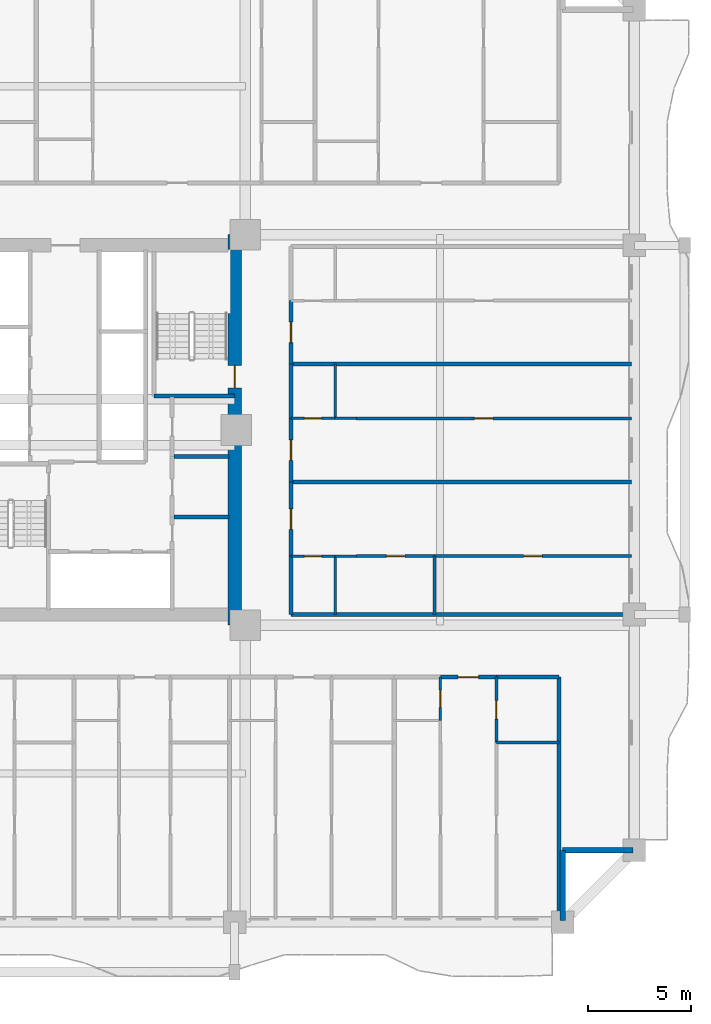
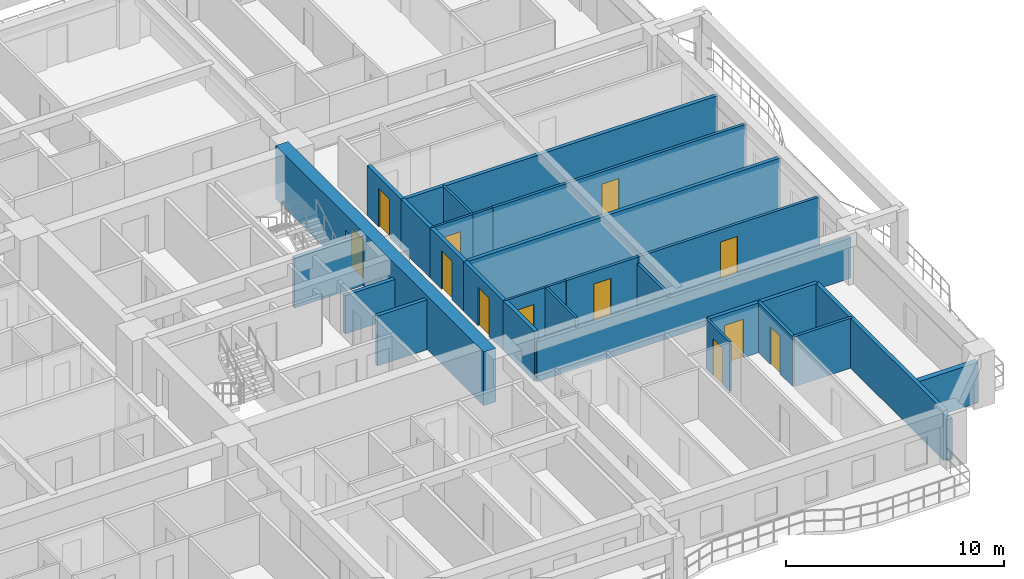
# One storey, part 6 of 16: 30 walls, 12 doors, 12 openings.
"""IFC4 building model written with IfcOpenShell, lengths in metres."""

from ifc_helpers import new_model, si_unit, direction, frame, frame_2d, origin, place, context, subcontext, project, spatial, rectangle, extrude, source, transform, mapped, material, layer, layer_set, type_object, element, fill, save


model = new_model("IFC4")

# Units and contexts
model_context = context("Model", 3, precision=1e-05, world=origin(), true_north=direction((0.0, 1.0)))
body_context = subcontext(model_context, "Body", "Model", "MODEL_VIEW")
ifc_project = project(units=[si_unit("LENGTHUNIT", "METRE"), si_unit("AREAUNIT", "SQUARE_METRE"), si_unit("VOLUMEUNIT", "CUBIC_METRE"), si_unit("PLANEANGLEUNIT", "RADIAN"), si_unit("MASSUNIT", "GRAM", prefix="KILO")], contexts=[model_context])

# Site, building, storey
site_placement = place(None, origin())
site = spatial("IfcSite", under=ifc_project, at=site_placement, CompositionType="ELEMENT")
building_placement = place(site_placement, origin())
building = spatial("IfcBuilding", under=site, at=building_placement, Name="Saelheon Loggia Tower", CompositionType="ELEMENT")
storey_placement = place(building_placement, frame((0.0, 0.0, 55.39990234375)))
storey = spatial("IfcBuildingStorey", under=building, at=storey_placement, Name="L17", CompositionType="ELEMENT", Elevation=55.39990234375)

# Wall, opening, door
ifc_material_1 = material(Name="Concrete C60/75", Category="concrete")
ifc_layer_1 = layer(ifc_material_1, 0.64990234375)
ifc_layer_set_1 = layer_set([ifc_layer_1], Name="Concrete C60/75")
wall_type_1 = type_object("IfcWallType", Name="Wall_CoreShear_650", PredefinedType="SHEAR", material=ifc_layer_set_1)
wall_1_placement = place(storey_placement, frame((44.5, 17.47998046875, 0.0), z_axis=(0.0, 0.0, 1.0), x_axis=(0.0, 1.0, 0.0)))
wall_1 = element("IfcWall", 1, at=wall_1_placement, inside=storey, type_object=wall_type_1, Name="L17 Core Shear Wall East", PredefinedType="SHEAR", context=body_context, shape_type="SweptSolid", body=[
    extrude(rectangle(XDim=19.0400390625, YDim=0.64990234375, at=frame_2d((9.52001953125, 0.0))), origin(), (0.0, 0.0, 1.0), 3.0),
])
opening_1_placement = place(wall_1_placement, frame((12.670166015625, 0.0, 0.0), z_axis=(0.0, 0.0, 1.0), x_axis=(-1.0, 0.0, 0.0)))
opening_1 = element("IfcOpeningElement", 2, at=opening_1_placement, cuts=wall_1, Name="Opening D-FD2", PredefinedType="OPENING", context=body_context, shape_type="SweptSolid", body=[
    extrude(rectangle(XDim=1.10009765625, YDim=2.14990234375, at=frame_2d((0.550048828125, 1.074951171875))), frame((0.0, 0.3369140625, 0.0), z_axis=(0.0, -1.0, 0.0), x_axis=(1.0, 0.0, 0.0)), (0.0, 0.0, 1.0), 0.673828125),
])
ifc_material_2 = material(Name="Galvanised Steel Fire Door", Category="steel")
door_type_1 = type_object("IfcDoorType", Name="Door_Fire_FD60_1100", OperationType="NOTDEFINED", PredefinedType="DOOR", material=ifc_material_2)
shared_shape_1 = source(origin(), body_context, "Body", "SweptSolid", [
    extrude(rectangle(XDim=1.10009765625, YDim=2.14990234375, at=frame_2d((0.550048828125, 1.074951171875))), frame((0.0, 0.02490234375, 0.0), z_axis=(0.0, -1.0, 0.0), x_axis=(1.0, 0.0, 0.0)), (0.0, 0.0, 1.0), 0.050048828125),
])
door_1_placement = place(opening_1_placement, origin())
door_1 = element("IfcDoor", 3, at=door_1_placement, inside=storey, type_object=door_type_1, Name="L17 Stair ST2 Corridor Door", OperationType="SINGLE_SWING_RIGHT", OverallHeight=2.14990234375, OverallWidth=1.10009765625, PredefinedType="DOOR", context=body_context, shape_type="MappedRepresentation", body=[
    mapped(shared_shape_1, transform((0.0, 0.0, 0.0), scale=1.0)),
])
fill(opening_1, door_1)

# Walls
ifc_material_3 = material(Name="Architectural Precast Concrete C40/50", Category="concrete")
ifc_layer_2 = layer(ifc_material_3, 0.280029296875)
ifc_layer_set_2 = layer_set([ifc_layer_2], Name="Architectural Precast Concrete C40/50")
wall_type_2 = type_object("IfcWallType", Name="Wall_Ext_Loggia_280", PredefinedType="SOLIDWALL", material=ifc_layer_set_2)
for number, where, z_axis, x_axis, name in (
    (4, (60.5, 3.080078125, 0.0), (0.0, 0.0, 1.0), (0.0, 1.0, 0.0), "L17 Corner Notch Precast Wall SE1"),
    (5, (60.5, 6.5, 0.0), (0.0, 0.0, 1.0), (1.0, 0.0, 0.0), "L17 Corner Notch Precast Wall SE2"),
):
    element("IfcWall", number, at=place(storey_placement, frame(where, z_axis=z_axis, x_axis=x_axis)), inside=storey, type_object=wall_type_2, Name=name, PredefinedType="SOLIDWALL", context=body_context, shape_type="SweptSolid", body=[
        extrude(rectangle(XDim=3.419921875, YDim=0.280029296875, at=frame_2d((1.7099609375, 0.0))), origin(), (0.0, 0.0, 1.0), 2.280029296875),
    ])
ifc_material_4 = material(Name="Lightweight Autoclaved Aerated Concrete Block and Acoustic Gypsum", Category="concrete")
ifc_layer_3 = layer(ifc_material_4, 0.14990234375)
ifc_layer_set_3 = layer_set([ifc_layer_3], Name="Lightweight Autoclaved Aerated Concrete Block and Acoustic Gypsum")
wall_type_3 = type_object("IfcWallType", Name="Wall_Part_150", PredefinedType="PARTITIONING", material=ifc_layer_set_3)
wall_2_placement = place(storey_placement, frame((57.2666015625, 11.75, 0.0), z_axis=(0.0, 0.0, 1.0), x_axis=(1.0, 0.0, 0.0)))
element("IfcWall", 6, at=wall_2_placement, inside=storey, type_object=wall_type_3, Name="L17 S Partition V55", PredefinedType="PARTITIONING", context=body_context, shape_type="SweptSolid", body=[
    extrude(rectangle(XDim=3.053466796875, YDim=0.14990234375, at=frame_2d((1.52685546875, 0.0))), origin(), (0.0, 0.0, 1.0), 2.7900390625),
])

# Wall, opening, door
wall_3_placement = place(storey_placement, frame((57.2666015625, 14.949951171875, 0.0), z_axis=(0.0, 0.0, 1.0), x_axis=(0.0, -1.0, 0.0)))
wall_3 = element("IfcWall", 7, at=wall_3_placement, inside=storey, type_object=wall_type_3, Name="L17 S Partition U59", PredefinedType="PARTITIONING", context=body_context, shape_type="SweptSolid", body=[
    extrude(rectangle(XDim=3.199951171875, YDim=0.14990234375, at=frame_2d((1.60009765625, 0.0))), origin(), (0.0, 0.0, 1.0), 2.7900390625),
])
opening_2_placement = place(wall_3_placement, frame((1.14990234375, 0.0, 0.0)))
opening_2 = element("IfcOpeningElement", 8, at=opening_2_placement, cuts=wall_3, Name="Opening D-IN2", PredefinedType="OPENING", context=body_context, shape_type="SweptSolid", body=[
    extrude(rectangle(XDim=0.89990234375, YDim=2.10009765625, at=frame_2d((0.449951171875, 1.050048828125))), frame((0.0, 0.0869140625, 0.0), z_axis=(0.0, -1.0, 0.0), x_axis=(1.0, 0.0, 0.0)), (0.0, 0.0, 1.0), 0.173828125),
])
ifc_material_5 = material(Name="Engineered Oak Flush Door", Category="timber")
door_type_2 = type_object("IfcDoorType", Name="Door_Int_900", OperationType="NOTDEFINED", PredefinedType="DOOR", material=ifc_material_5)
shared_shape_2 = source(origin(), body_context, "Body", "SweptSolid", [
    extrude(rectangle(XDim=0.89990234375, YDim=2.10009765625, at=frame_2d((0.449951171875, 1.050048828125))), frame((0.0, 0.02490234375, 0.0), z_axis=(0.0, -1.0, 0.0), x_axis=(1.0, 0.0, 0.0)), (0.0, 0.0, 1.0), 0.050048828125),
])
door_2_placement = place(opening_2_placement, origin())
door_2 = element("IfcDoor", 9, at=door_2_placement, inside=storey, type_object=door_type_2, Name="Unit U05 Dressing Closet Door", OperationType="SINGLE_SWING_RIGHT", OverallHeight=2.10009765625, OverallWidth=0.89990234375, PredefinedType="DOOR", context=body_context, shape_type="MappedRepresentation", body=[
    mapped(shared_shape_2, transform((0.0, 0.0, 0.0), scale=1.0)),
])
fill(opening_2, door_2)

# Wall
wall_4_placement = place(storey_placement, frame((54.25, 18.0, 0.0), z_axis=(0.0, 0.0, 1.0), x_axis=(0.0, 1.0, 0.0)))
element("IfcWall", 10, at=wall_4_placement, inside=storey, type_object=wall_type_3, Name="L17 E Partition V08", PredefinedType="PARTITIONING", context=body_context, shape_type="SweptSolid", body=[
    extrude(rectangle(XDim=2.85009765625, YDim=0.14990234375, at=frame_2d((1.425048828125, 0.0))), origin(), (0.0, 0.0, 1.0), 2.440185546875),
])

# Wall, opening, door
wall_5_placement = place(storey_placement, frame((50.449951171875, 20.85009765625, 0.0), z_axis=(0.0, 0.0, 1.0), x_axis=(1.0, 0.0, 0.0)))
wall_5 = element("IfcWall", 11, at=wall_5_placement, inside=storey, type_object=wall_type_3, Name="L17 E Partition U09", PredefinedType="PARTITIONING", context=body_context, shape_type="SweptSolid", body=[
    extrude(rectangle(XDim=3.800048828125, YDim=0.14990234375, at=frame_2d((1.89990234375, 0.0))), origin(), (0.0, 0.0, 1.0), 2.7900390625),
])
opening_3_placement = place(wall_5_placement, frame((1.449951171875, 0.0, 0.0)))
opening_3 = element("IfcOpeningElement", 12, at=opening_3_placement, cuts=wall_5, Name="Opening D-IN2", PredefinedType="OPENING", context=body_context, shape_type="SweptSolid", body=[
    extrude(rectangle(XDim=0.89990234375, YDim=2.10009765625, at=frame_2d((0.449951171875, 1.050048828125))), frame((0.0, 0.0869140625, 0.0), z_axis=(0.0, -1.0, 0.0), x_axis=(1.0, 0.0, 0.0)), (0.0, 0.0, 1.0), 0.173828125),
])
door_3_placement = place(opening_3_placement, origin())
door_3 = element("IfcDoor", 13, at=door_3_placement, inside=storey, type_object=door_type_2, Name="Unit U13 Kitchen Door", OperationType="SINGLE_SWING_LEFT", OverallHeight=2.10009765625, OverallWidth=0.89990234375, PredefinedType="DOOR", context=body_context, shape_type="MappedRepresentation", body=[
    mapped(shared_shape_2, transform((0.0, 0.0, 0.0), scale=1.0)),
])
fill(opening_3, door_3)

wall_6_placement = place(storey_placement, frame((54.25, 20.85009765625, 0.0), z_axis=(0.0, 0.0, 1.0), x_axis=(1.0, 0.0, 0.0)))
wall_6 = element("IfcWall", 14, at=wall_6_placement, inside=storey, type_object=wall_type_3, Name="L17 E Partition U10", PredefinedType="PARTITIONING", context=body_context, shape_type="SweptSolid", body=[
    extrude(rectangle(XDim=9.60009765625, YDim=0.14990234375, at=frame_2d((4.800048828125, 0.0))), origin(), (0.0, 0.0, 1.0), 2.7900390625),
])
opening_4_placement = place(wall_6_placement, frame((4.35009765625, 0.0, 0.0)))
opening_4 = element("IfcOpeningElement", 15, at=opening_4_placement, cuts=wall_6, Name="Opening D-IN2", PredefinedType="OPENING", context=body_context, shape_type="SweptSolid", body=[
    extrude(rectangle(XDim=0.89990234375, YDim=2.10009765625, at=frame_2d((0.449951171875, 1.050048828125))), frame((0.0, 0.0869140625, 0.0), z_axis=(0.0, -1.0, 0.0), x_axis=(1.0, 0.0, 0.0)), (0.0, 0.0, 1.0), 0.173828125),
])
door_4_placement = place(opening_4_placement, origin())
door_4 = element("IfcDoor", 16, at=door_4_placement, inside=storey, type_object=door_type_2, Name="Unit U13 Bedroom 1 Door", OperationType="SINGLE_SWING_RIGHT", OverallHeight=2.10009765625, OverallWidth=0.89990234375, PredefinedType="DOOR", context=body_context, shape_type="MappedRepresentation", body=[
    mapped(shared_shape_2, transform((0.0, 0.0, 0.0), scale=1.0)),
])
fill(opening_4, door_4)

wall_7_placement = place(storey_placement, frame((50.449951171875, 27.563720703125, 0.0), z_axis=(0.0, 0.0, 1.0), x_axis=(1.0, 0.0, 0.0)))
wall_7 = element("IfcWall", 17, at=wall_7_placement, inside=storey, type_object=wall_type_3, Name="L17 E Partition U17", PredefinedType="PARTITIONING", context=body_context, shape_type="SweptSolid", body=[
    extrude(rectangle(XDim=13.400146484375, YDim=0.14990234375, at=frame_2d((6.7001953125, 0.0))), origin(), (0.0, 0.0, 1.0), 2.7900390625),
])
opening_5_placement = place(wall_7_placement, frame((5.749267578125, 0.0, 0.0)))
opening_5 = element("IfcOpeningElement", 18, at=opening_5_placement, cuts=wall_7, Name="Opening D-IN2", PredefinedType="OPENING", context=body_context, shape_type="SweptSolid", body=[
    extrude(rectangle(XDim=0.89990234375, YDim=2.10009765625, at=frame_2d((0.449951171875, 1.050048828125))), frame((0.0, 0.0869140625, 0.0), z_axis=(0.0, -1.0, 0.0), x_axis=(1.0, 0.0, 0.0)), (0.0, 0.0, 1.0), 0.173828125),
])
door_5_placement = place(opening_5_placement, origin())
door_5 = element("IfcDoor", 19, at=door_5_placement, inside=storey, type_object=door_type_2, Name="Unit U14 Kitchen Door", OperationType="SINGLE_SWING_LEFT", OverallHeight=2.10009765625, OverallWidth=0.89990234375, PredefinedType="DOOR", context=body_context, shape_type="MappedRepresentation", body=[
    mapped(shared_shape_2, transform((0.0, 0.0, 0.0), scale=1.0)),
])
fill(opening_5, door_5)

# Wall
ifc_material_6 = material(Name="Double Acoustic Stud and Fireboard Partition", Category="gypsum")
ifc_layer_4 = layer(ifc_material_6, 0.199951171875)
ifc_layer_set_4 = layer_set([ifc_layer_4], Name="Double Acoustic Stud and Fireboard Partition")
wall_type_4 = type_object("IfcWallType", Name="Wall_Party_200", PredefinedType="PARTITIONING", material=ifc_layer_set_4)
wall_8_placement = place(storey_placement, frame((60.320068359375, 14.949951171875, 0.0), z_axis=(0.0, 0.0, 1.0), x_axis=(0.0, -1.0, 0.0)))
element("IfcWall", 20, at=wall_8_placement, inside=storey, type_object=wall_type_4, Name="L17 S Partition U02", PredefinedType="PARTITIONING", context=body_context, shape_type="SweptSolid", body=[
    extrude(rectangle(XDim=11.800048828125, YDim=0.199951171875, at=frame_2d((5.89990234375, 0.0))), origin(), (0.0, 0.0, 1.0), 2.7900390625),
])

# Wall, opening, door
wall_9_placement = place(storey_placement, frame((54.53466796875, 14.949951171875, 0.0), z_axis=(0.0, 0.0, 1.0), x_axis=(1.0, 0.0, 0.0)))
wall_9 = element("IfcWall", 21, at=wall_9_placement, inside=storey, type_object=wall_type_4, Name="L17 S Partition V52", PredefinedType="PARTITIONING", context=body_context, shape_type="SweptSolid", body=[
    extrude(rectangle(XDim=2.73193359375, YDim=0.199951171875, at=frame_2d((1.365966796875, 0.0))), origin(), (0.0, 0.0, 1.0), 2.7900390625),
])
opening_6_placement = place(wall_9_placement, frame((0.865966796875, 0.0, 0.0)))
opening_6 = element("IfcOpeningElement", 22, at=opening_6_placement, cuts=wall_9, Name="Opening D-FD1", PredefinedType="OPENING", context=body_context, shape_type="SweptSolid", body=[
    extrude(rectangle(XDim=1.0, YDim=2.14990234375, at=frame_2d((0.5, 1.074951171875))), frame((0.0, 0.112060546875, 0.0), z_axis=(0.0, -1.0, 0.0), x_axis=(1.0, 0.0, 0.0)), (0.0, 0.0, 1.0), 0.223876953125),
])
ifc_material_7 = material(Name="Fire-Rated Engineered Timber Entrance Door", Category="wood")
door_type_3 = type_object("IfcDoorType", Name="Door_Flat_FD30S", OperationType="NOTDEFINED", PredefinedType="DOOR", material=ifc_material_7)
shared_shape_3 = source(origin(), body_context, "Body", "SweptSolid", [
    extrude(rectangle(XDim=1.0, YDim=2.14990234375, at=frame_2d((0.5, 1.074951171875))), frame((0.0, 0.02490234375, 0.0), z_axis=(0.0, -1.0, 0.0), x_axis=(1.0, 0.0, 0.0)), (0.0, 0.0, 1.0), 0.050048828125),
])
door_6_placement = place(opening_6_placement, origin())
door_6 = element("IfcDoor", 23, at=door_6_placement, inside=storey, type_object=door_type_3, Name="Unit U05 Entrance Door", OperationType="SINGLE_SWING_LEFT", OverallHeight=2.14990234375, OverallWidth=1.0, PredefinedType="DOOR", context=body_context, shape_type="MappedRepresentation", body=[
    mapped(shared_shape_3, transform((0.0, 0.0, 0.0), scale=1.0)),
])
fill(opening_6, door_6)

# Walls
wall_10_placement = place(storey_placement, frame((57.2666015625, 14.949951171875, 0.0), z_axis=(0.0, 0.0, 1.0), x_axis=(1.0, 0.0, 0.0)))
element("IfcWall", 24, at=wall_10_placement, inside=storey, type_object=wall_type_4, Name="L17 S Partition V53", PredefinedType="PARTITIONING", context=body_context, shape_type="SweptSolid", body=[
    extrude(rectangle(XDim=3.053466796875, YDim=0.199951171875, at=frame_2d((1.52685546875, 0.0))), origin(), (0.0, 0.0, 1.0), 2.7900390625),
])
wall_11_placement = place(storey_placement, frame((47.25, 18.0, 0.0), z_axis=(0.0, 0.0, 1.0), x_axis=(1.0, 0.0, 0.0)))
element("IfcWall", 25, at=wall_11_placement, inside=storey, type_object=wall_type_4, Name="L17 E Partition U01", PredefinedType="PARTITIONING", context=body_context, shape_type="SweptSolid", body=[
    extrude(rectangle(XDim=16.60009765625, YDim=0.199951171875, at=frame_2d((8.300048828125, 0.0))), origin(), (0.0, 0.0, 1.0), 2.239990234375),
])
wall_12_placement = place(storey_placement, frame((47.25, 18.0, 0.0), z_axis=(0.0, 0.0, 1.0), x_axis=(0.0, 1.0, 0.0)))
element("IfcWall", 26, at=wall_12_placement, inside=storey, type_object=wall_type_4, Name="L17 E Partition V03", PredefinedType="PARTITIONING", context=body_context, shape_type="SweptSolid", body=[
    extrude(rectangle(XDim=2.85009765625, YDim=0.199951171875, at=frame_2d((1.425048828125, 0.0))), origin(), (0.0, 0.0, 1.0), 2.7900390625),
])

# Wall, opening, door
wall_13_placement = place(storey_placement, frame((47.25, 20.85009765625, 0.0), z_axis=(0.0, 0.0, 1.0), x_axis=(0.0, 1.0, 0.0)))
wall_13 = element("IfcWall", 27, at=wall_13_placement, inside=storey, type_object=wall_type_4, Name="L17 E Partition V04", PredefinedType="PARTITIONING", context=body_context, shape_type="SweptSolid", body=[
    extrude(rectangle(XDim=3.61181640625, YDim=0.199951171875, at=frame_2d((1.805908203125, 0.0))), origin(), (0.0, 0.0, 1.0), 2.7900390625),
])
opening_7_placement = place(wall_13_placement, frame((1.305908203125, 0.0, 0.0)))
opening_7 = element("IfcOpeningElement", 28, at=opening_7_placement, cuts=wall_13, Name="Opening D-FD1", PredefinedType="OPENING", context=body_context, shape_type="SweptSolid", body=[
    extrude(rectangle(XDim=1.0, YDim=2.14990234375, at=frame_2d((0.5, 1.074951171875))), frame((0.0, 0.112060546875, 0.0), z_axis=(0.0, -1.0, 0.0), x_axis=(1.0, 0.0, 0.0)), (0.0, 0.0, 1.0), 0.223876953125),
])
door_7_placement = place(opening_7_placement, origin())
door_7 = element("IfcDoor", 29, at=door_7_placement, inside=storey, type_object=door_type_3, Name="Unit U13 Entrance Door", OperationType="SINGLE_SWING_LEFT", OverallHeight=2.14990234375, OverallWidth=1.0, PredefinedType="DOOR", context=body_context, shape_type="MappedRepresentation", body=[
    mapped(shared_shape_3, transform((0.0, 0.0, 0.0), scale=1.0)),
])
fill(opening_7, door_7)

# Wall
wall_14_placement = place(storey_placement, frame((47.25, 24.4619140625, 0.0), z_axis=(0.0, 0.0, 1.0), x_axis=(1.0, 0.0, 0.0)))
element("IfcWall", 30, at=wall_14_placement, inside=storey, type_object=wall_type_4, Name="L17 E Partition U11", PredefinedType="PARTITIONING", context=body_context, shape_type="SweptSolid", body=[
    extrude(rectangle(XDim=16.60009765625, YDim=0.199951171875, at=frame_2d((8.300048828125, 0.0))), origin(), (0.0, 0.0, 1.0), 2.7900390625),
])

# Wall, opening, door
wall_15_placement = place(storey_placement, frame((47.25, 24.4619140625, 0.0), z_axis=(0.0, 0.0, 1.0), x_axis=(0.0, 1.0, 0.0)))
wall_15 = element("IfcWall", 31, at=wall_15_placement, inside=storey, type_object=wall_type_4, Name="L17 E Partition V12", PredefinedType="PARTITIONING", context=body_context, shape_type="SweptSolid", body=[
    extrude(rectangle(XDim=3.101806640625, YDim=0.199951171875, at=frame_2d((1.55078125, 0.0))), origin(), (0.0, 0.0, 1.0), 2.7900390625),
])
opening_8_placement = place(wall_15_placement, frame((1.05078125, 0.0, 0.0)))
opening_8 = element("IfcOpeningElement", 32, at=opening_8_placement, cuts=wall_15, Name="Opening D-FD1", PredefinedType="OPENING", context=body_context, shape_type="SweptSolid", body=[
    extrude(rectangle(XDim=1.0, YDim=2.14990234375, at=frame_2d((0.5, 1.074951171875))), frame((0.0, 0.112060546875, 0.0), z_axis=(0.0, -1.0, 0.0), x_axis=(1.0, 0.0, 0.0)), (0.0, 0.0, 1.0), 0.223876953125),
])
door_8_placement = place(opening_8_placement, origin())
door_8 = element("IfcDoor", 33, at=door_8_placement, inside=storey, type_object=door_type_3, Name="Unit U14 Entrance Door", OperationType="SINGLE_SWING_LEFT", OverallHeight=2.14990234375, OverallWidth=1.0, PredefinedType="DOOR", context=body_context, shape_type="MappedRepresentation", body=[
    mapped(shared_shape_3, transform((0.0, 0.0, 0.0), scale=1.0)),
])
fill(opening_8, door_8)

# Walls
wall_16_placement = place(storey_placement, frame((47.25, 27.563720703125, 0.0), z_axis=(0.0, 0.0, 1.0), x_axis=(0.0, 1.0, 0.0)))
element("IfcWall", 34, at=wall_16_placement, inside=storey, type_object=wall_type_4, Name="L17 E Partition V13", PredefinedType="PARTITIONING", context=body_context, shape_type="SweptSolid", body=[
    extrude(rectangle(XDim=2.642333984375, YDim=0.199951171875, at=frame_2d((1.3212890625, 0.0))), origin(), (0.0, 0.0, 1.0), 2.7900390625),
])
wall_17_placement = place(storey_placement, frame((47.25, 30.2060546875, 0.0), z_axis=(0.0, 0.0, 1.0), x_axis=(1.0, 0.0, 0.0)))
element("IfcWall", 35, at=wall_17_placement, inside=storey, type_object=wall_type_4, Name="L17 E Partition U18", PredefinedType="PARTITIONING", context=body_context, shape_type="SweptSolid", body=[
    extrude(rectangle(XDim=16.60009765625, YDim=0.199951171875, at=frame_2d((8.300048828125, 0.0))), origin(), (0.0, 0.0, 1.0), 2.7900390625),
])

# Wall, opening, door
wall_18_placement = place(storey_placement, frame((47.25, 30.2060546875, 0.0), z_axis=(0.0, 0.0, 1.0), x_axis=(0.0, 1.0, 0.0)))
wall_18 = element("IfcWall", 36, at=wall_18_placement, inside=storey, type_object=wall_type_4, Name="L17 E Partition V19", PredefinedType="PARTITIONING", context=body_context, shape_type="SweptSolid", body=[
    extrude(rectangle(XDim=3.101806640625, YDim=0.199951171875, at=frame_2d((1.55078125, 0.0))), origin(), (0.0, 0.0, 1.0), 2.7900390625),
])
opening_9_placement = place(wall_18_placement, frame((1.05078125, 0.0, 0.0)))
opening_9 = element("IfcOpeningElement", 37, at=opening_9_placement, cuts=wall_18, Name="Opening D-FD1", PredefinedType="OPENING", context=body_context, shape_type="SweptSolid", body=[
    extrude(rectangle(XDim=1.0, YDim=2.14990234375, at=frame_2d((0.5, 1.074951171875))), frame((0.0, 0.112060546875, 0.0), z_axis=(0.0, -1.0, 0.0), x_axis=(1.0, 0.0, 0.0)), (0.0, 0.0, 1.0), 0.223876953125),
])
door_9_placement = place(opening_9_placement, origin())
door_9 = element("IfcDoor", 38, at=door_9_placement, inside=storey, type_object=door_type_3, Name="Unit U15 Entrance Door", OperationType="SINGLE_SWING_RIGHT", OverallHeight=2.14990234375, OverallWidth=1.0, PredefinedType="DOOR", context=body_context, shape_type="MappedRepresentation", body=[
    mapped(shared_shape_3, transform((0.0, 0.0, 0.0), scale=1.0)),
])
fill(opening_9, door_9)

# Walls
ifc_material_8 = material(Name="Concrete C40/50", Category="concrete")
ifc_layer_5 = layer(ifc_material_8, 0.199951171875)
ifc_layer_set_5 = layer_set([ifc_layer_5], Name="Concrete C40/50")
wall_type_5 = type_object("IfcWallType", Name="Wall_Shaft_200", PredefinedType="PARTITIONING", material=ifc_layer_set_5)
wall_19_placement = place(storey_placement, frame((41.550048828125, 22.75, 0.0), z_axis=(0.0, 0.0, 1.0), x_axis=(1.0, 0.0, 0.0)))
element("IfcWall", 39, at=wall_19_placement, inside=storey, type_object=wall_type_5, Name="CW-BOH-L17-H1", PredefinedType="PARTITIONING", context=body_context, shape_type="SweptSolid", body=[
    extrude(rectangle(XDim=2.669921875, YDim=0.199951171875, at=frame_2d((1.3349609375, 0.0))), origin(), (0.0, 0.0, 1.0), 2.7900390625),
])
wall_20_placement = place(storey_placement, frame((41.550048828125, 25.699951171875, 0.0), z_axis=(0.0, 0.0, 1.0), x_axis=(1.0, 0.0, 0.0)))
element("IfcWall", 40, at=wall_20_placement, inside=storey, type_object=wall_type_5, Name="CW-BOH-L17-H2", PredefinedType="PARTITIONING", context=body_context, shape_type="SweptSolid", body=[
    extrude(rectangle(XDim=2.669921875, YDim=0.199951171875, at=frame_2d((1.3349609375, 0.0))), origin(), (0.0, 0.0, 1.0), 2.14013671875),
])
ifc_material_9 = material(Name="Concrete C45/55", Category="concrete")
ifc_layer_6 = layer(ifc_material_9, 0.199951171875)
ifc_layer_set_6 = layer_set([ifc_layer_6], Name="Concrete C45/55")
wall_type_6 = type_object("IfcWallType", Name="Wall_StairShaft_RC200", PredefinedType="SOLIDWALL", material=ifc_layer_set_6)
wall_21_placement = place(storey_placement, frame((40.570068359375, 28.64990234375, 0.0), z_axis=(0.0, 0.0, 1.0), x_axis=(1.0, 0.0, 0.0)))
element("IfcWall", 41, at=wall_21_placement, inside=storey, type_object=wall_type_6, Name="L17 Stair ST2 South Wall", PredefinedType="SOLIDWALL", context=body_context, shape_type="SweptSolid", body=[
    extrude(rectangle(XDim=3.929931640625, YDim=0.199951171875, at=frame_2d((1.96484375, 0.0))), origin(), (0.0, 0.0, 1.0), 2.7900390625),
])

# Wall, opening, door
ifc_material_10 = material(Name="Moisture-Resistant Cement Board Partition", Category="gypsum")
ifc_layer_7 = layer(ifc_material_10, 0.1201171875)
ifc_layer_set_7 = layer_set([ifc_layer_7], Name="Moisture-Resistant Cement Board Partition")
wall_type_7 = type_object("IfcWallType", Name="Wall_WetPart_120", PredefinedType="PARTITIONING", material=ifc_layer_set_7)
wall_22_placement = place(storey_placement, frame((54.53466796875, 14.949951171875, 0.0), z_axis=(0.0, 0.0, 1.0), x_axis=(0.0, -1.0, 0.0)))
wall_22 = element("IfcWall", 42, at=wall_22_placement, inside=storey, type_object=wall_type_7, Name="L17 S Partition U56", PredefinedType="PARTITIONING", context=body_context, shape_type="SweptSolid", body=[
    extrude(rectangle(XDim=2.119873046875, YDim=0.1201171875, at=frame_2d((1.06005859375, 0.0))), origin(), (0.0, 0.0, 1.0), 2.7900390625),
])
opening_10_placement = place(wall_22_placement, frame((0.635009765625, 0.0, 0.0)))
opening_10 = element("IfcOpeningElement", 43, at=opening_10_placement, cuts=wall_22, Name="Opening D-BT1", PredefinedType="OPENING", context=body_context, shape_type="SweptSolid", body=[
    extrude(rectangle(XDim=0.85009765625, YDim=2.050048828125, at=frame_2d((0.425048828125, 1.02490234375))), frame((0.0, 0.072021484375, 0.0), z_axis=(0.0, -1.0, 0.0), x_axis=(1.0, 0.0, 0.0)), (0.0, 0.0, 1.0), 0.14404296875),
])
ifc_material_11 = material(Name="Moisture-Resistant Laminate Timber Door", Category="wood")
door_type_4 = type_object("IfcDoorType", Name="Door_Bath_850", OperationType="NOTDEFINED", PredefinedType="DOOR", material=ifc_material_11)
shared_shape_4 = source(origin(), body_context, "Body", "SweptSolid", [
    extrude(rectangle(XDim=0.85009765625, YDim=2.050048828125, at=frame_2d((0.425048828125, 1.02490234375))), frame((0.0, 0.02490234375, 0.0), z_axis=(0.0, -1.0, 0.0), x_axis=(1.0, 0.0, 0.0)), (0.0, 0.0, 1.0), 0.050048828125),
])
door_10_placement = place(opening_10_placement, origin())
door_10 = element("IfcDoor", 44, at=door_10_placement, inside=storey, type_object=door_type_4, Name="Unit U05 Bathroom Door", OperationType="SINGLE_SWING_RIGHT", OverallHeight=2.050048828125, OverallWidth=0.85009765625, PredefinedType="DOOR", context=body_context, shape_type="MappedRepresentation", body=[
    mapped(shared_shape_4, transform((0.0, 0.0, 0.0), scale=1.0)),
])
fill(opening_10, door_10)

wall_23_placement = place(storey_placement, frame((47.25, 20.85009765625, 0.0), z_axis=(0.0, 0.0, 1.0), x_axis=(1.0, 0.0, 0.0)))
wall_23 = element("IfcWall", 45, at=wall_23_placement, inside=storey, type_object=wall_type_7, Name="L17 E Partition U05", PredefinedType="PARTITIONING", context=body_context, shape_type="SweptSolid", body=[
    extrude(rectangle(XDim=2.14990234375, YDim=0.1201171875, at=frame_2d((1.074951171875, 0.0))), origin(), (0.0, 0.0, 1.0), 2.7900390625),
])
opening_11_placement = place(wall_23_placement, frame((0.64990234375, 0.0, 0.0)))
opening_11 = element("IfcOpeningElement", 46, at=opening_11_placement, cuts=wall_23, Name="Opening D-BT1", PredefinedType="OPENING", context=body_context, shape_type="SweptSolid", body=[
    extrude(rectangle(XDim=0.85009765625, YDim=2.050048828125, at=frame_2d((0.425048828125, 1.02490234375))), frame((0.0, 0.072021484375, 0.0), z_axis=(0.0, -1.0, 0.0), x_axis=(1.0, 0.0, 0.0)), (0.0, 0.0, 1.0), 0.14404296875),
])
door_11_placement = place(opening_11_placement, origin())
door_11 = element("IfcDoor", 47, at=door_11_placement, inside=storey, type_object=door_type_4, Name="Unit U13 Bathroom Door", OperationType="SINGLE_SWING_RIGHT", OverallHeight=2.050048828125, OverallWidth=0.85009765625, PredefinedType="DOOR", context=body_context, shape_type="MappedRepresentation", body=[
    mapped(shared_shape_4, transform((0.0, 0.0, 0.0), scale=1.0)),
])
fill(opening_11, door_11)

# Walls
wall_24_placement = place(storey_placement, frame((49.39990234375, 20.85009765625, 0.0), z_axis=(0.0, 0.0, 1.0), x_axis=(1.0, 0.0, 0.0)))
element("IfcWall", 48, at=wall_24_placement, inside=storey, type_object=wall_type_7, Name="L17 E Partition U06", PredefinedType="PARTITIONING", context=body_context, shape_type="SweptSolid", body=[
    extrude(rectangle(XDim=1.050048828125, YDim=0.1201171875, at=frame_2d((0.52490234375, 0.0))), origin(), (0.0, 0.0, 1.0), 2.7900390625),
])
wall_25_placement = place(storey_placement, frame((49.39990234375, 18.0, 0.0), z_axis=(0.0, 0.0, 1.0), x_axis=(0.0, 1.0, 0.0)))
element("IfcWall", 49, at=wall_25_placement, inside=storey, type_object=wall_type_7, Name="L17 E Partition V07", PredefinedType="PARTITIONING", context=body_context, shape_type="SweptSolid", body=[
    extrude(rectangle(XDim=2.85009765625, YDim=0.1201171875, at=frame_2d((1.425048828125, 0.0))), origin(), (0.0, 0.0, 1.0), 2.7900390625),
])

# Wall, opening, door
wall_26_placement = place(storey_placement, frame((47.25, 27.563720703125, 0.0), z_axis=(0.0, 0.0, 1.0), x_axis=(1.0, 0.0, 0.0)))
wall_26 = element("IfcWall", 50, at=wall_26_placement, inside=storey, type_object=wall_type_7, Name="L17 E Partition U14", PredefinedType="PARTITIONING", context=body_context, shape_type="SweptSolid", body=[
    extrude(rectangle(XDim=2.14990234375, YDim=0.1201171875, at=frame_2d((1.074951171875, 0.0))), origin(), (0.0, 0.0, 1.0), 2.7900390625),
])
opening_12_placement = place(wall_26_placement, frame((0.64990234375, 0.0, 0.0)))
opening_12 = element("IfcOpeningElement", 51, at=opening_12_placement, cuts=wall_26, Name="Opening D-BT1", PredefinedType="OPENING", context=body_context, shape_type="SweptSolid", body=[
    extrude(rectangle(XDim=0.85009765625, YDim=2.050048828125, at=frame_2d((0.425048828125, 1.02490234375))), frame((0.0, 0.072021484375, 0.0), z_axis=(0.0, -1.0, 0.0), x_axis=(1.0, 0.0, 0.0)), (0.0, 0.0, 1.0), 0.14404296875),
])
door_12_placement = place(opening_12_placement, origin())
door_12 = element("IfcDoor", 52, at=door_12_placement, inside=storey, type_object=door_type_4, Name="Unit U14 Bathroom Door", OperationType="SINGLE_SWING_RIGHT", OverallHeight=2.050048828125, OverallWidth=0.85009765625, PredefinedType="DOOR", context=body_context, shape_type="MappedRepresentation", body=[
    mapped(shared_shape_4, transform((0.0, 0.0, 0.0), scale=1.0)),
])
fill(opening_12, door_12)

# Walls
wall_27_placement = place(storey_placement, frame((49.39990234375, 27.563720703125, 0.0), z_axis=(0.0, 0.0, 1.0), x_axis=(1.0, 0.0, 0.0)))
element("IfcWall", 53, at=wall_27_placement, inside=storey, type_object=wall_type_7, Name="L17 E Partition U15", PredefinedType="PARTITIONING", context=body_context, shape_type="SweptSolid", body=[
    extrude(rectangle(XDim=1.050048828125, YDim=0.1201171875, at=frame_2d((0.52490234375, 0.0))), origin(), (0.0, 0.0, 1.0), 2.7900390625),
])
wall_28_placement = place(storey_placement, frame((49.39990234375, 27.563720703125, 0.0), z_axis=(0.0, 0.0, 1.0), x_axis=(0.0, 1.0, 0.0)))
element("IfcWall", 54, at=wall_28_placement, inside=storey, type_object=wall_type_7, Name="L17 E Partition V16", PredefinedType="PARTITIONING", context=body_context, shape_type="SweptSolid", body=[
    extrude(rectangle(XDim=2.642333984375, YDim=0.1201171875, at=frame_2d((1.3212890625, 0.0))), origin(), (0.0, 0.0, 1.0), 2.7900390625),
])

save(model, "model.ifc")
